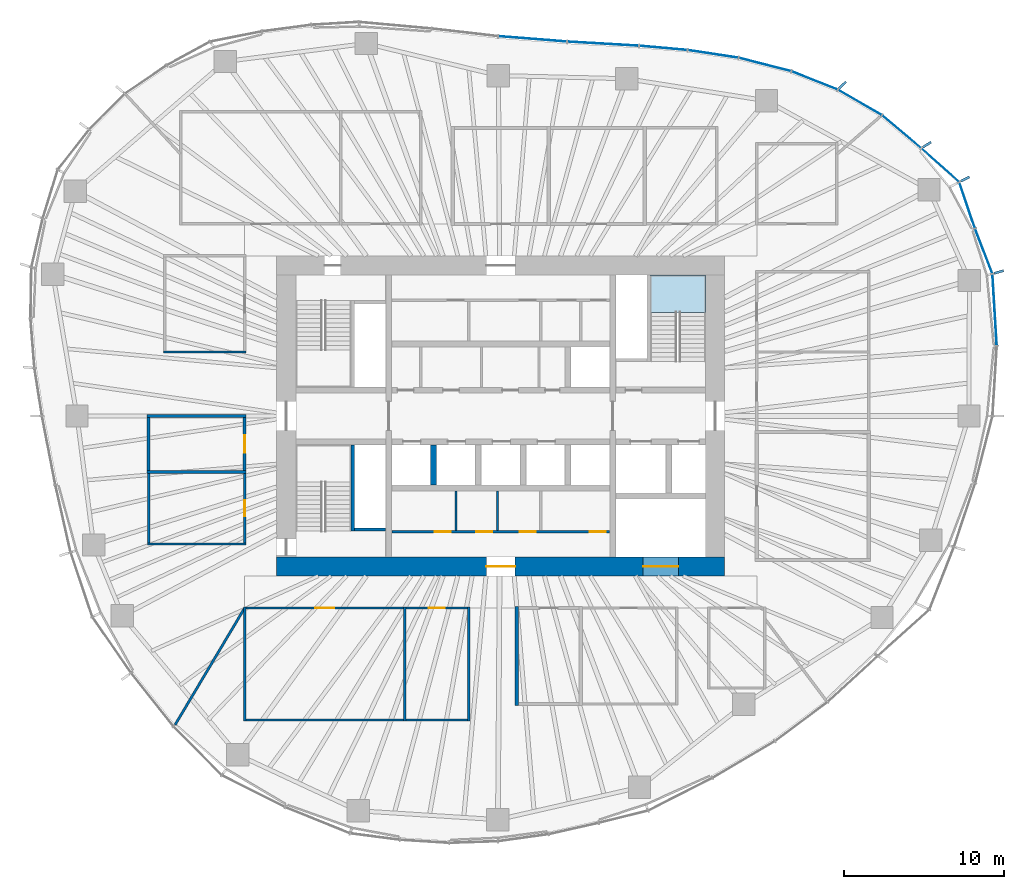
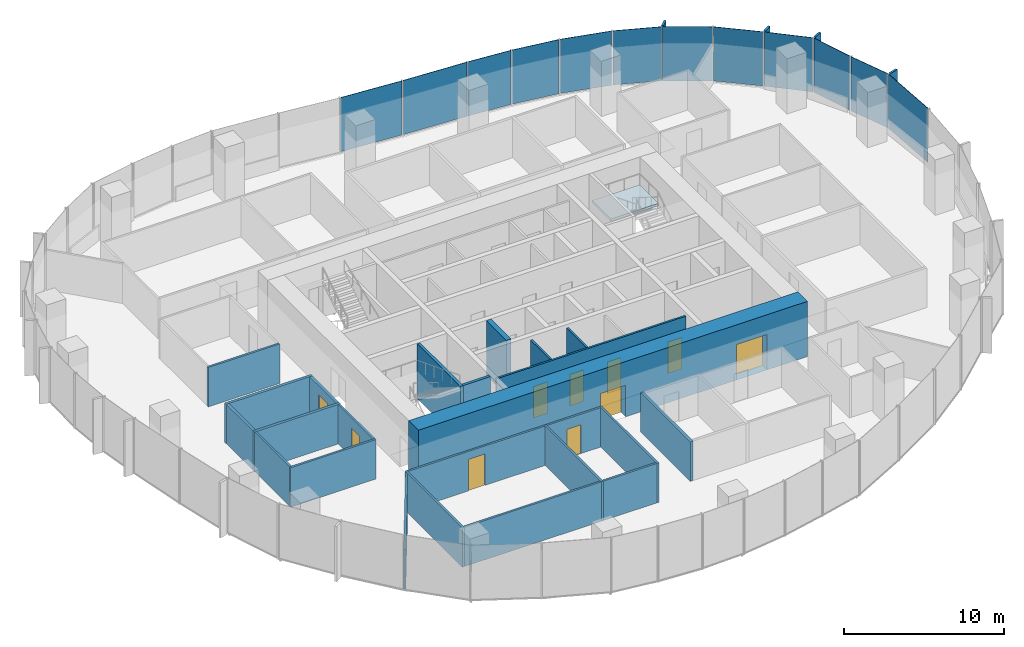
# One storey, part 8 of 18: 24 walls, 16 plates, 10 doors, 1 slab, 10 openings, 6 elements without a shape of their own.
"""IFC4 building model written with IfcOpenShell, lengths in metres."""

from ifc_helpers import new_model, si_unit, direction, frame, frame_2d, origin, origin_2d, place, context, subcontext, project, spatial, polyline, rectangle, outline, extrude, material, layer, layer_set, type_object, element, fill, aggregate, save


model = new_model("IFC4")

# Units and contexts
model_context = context("Model", 3, precision=1e-05, world=origin(), true_north=direction((0.0, 1.0)))
body_context = subcontext(model_context, "Body", "Model", "MODEL_VIEW")
ifc_project = project(units=[si_unit("LENGTHUNIT", "METRE"), si_unit("AREAUNIT", "SQUARE_METRE"), si_unit("VOLUMEUNIT", "CUBIC_METRE"), si_unit("PLANEANGLEUNIT", "RADIAN"), si_unit("MASSUNIT", "GRAM", prefix="KILO")], contexts=[model_context])

# Site, building, storey
site_placement = place(None, origin())
site = spatial("IfcSite", under=ifc_project, at=site_placement, CompositionType="ELEMENT")
building_placement = place(site_placement, origin())
building = spatial("IfcBuilding", under=site, at=building_placement, Name="Ghaith Harvest Tower", CompositionType="ELEMENT")
storey_placement = place(building_placement, frame((0.0, 0.0, 155.39990234375)))
storey = spatial("IfcBuildingStorey", under=building, at=storey_placement, Name="L33", CompositionType="ELEMENT", Elevation=155.39990234375)

# Curtain wall, plate
ifc_material_1 = material(Name="Black anodised aluminium and fritted glass", Category="aluminium")
curtain_wall_type = type_object("IfcCurtainWallType", Name="CW-L CURTAIN WALL", PredefinedType="NOTDEFINED", material=ifc_material_1)
curtain_wall_1_placement = place(storey_placement, origin())
curtain_wall_1 = element("IfcCurtainWall", 1, at=curtain_wall_1_placement, inside=storey, type_object=curtain_wall_type, Name="Curtain wall CW-L bay 01 L33", PredefinedType="NOTDEFINED")
ifc_material_2 = material(Name="Glass, dark solar-control fritted double glazed unit", Category="glass")
ifc_layer_1 = layer(ifc_material_2, 0.031982421875)
ifc_layer_set_1 = layer_set([ifc_layer_1], Name="CW-L VISION PANEL")
plate_type_1 = type_object("IfcPlateType", Name="CW-L VISION PANEL", PredefinedType="CURTAIN_PANEL", material=ifc_layer_set_1)
plate_1_placement = place(storey_placement, frame((30.863037109375, 6.63525390625, 0.080078125), z_axis=(0.0, 0.0, 1.0), x_axis=(-0.060320650032, 0.998179051663, 0.0)))
plate_1 = element("IfcPlate", 2, at=plate_1_placement, type_object=plate_type_1, Name="CW-L glass unit 2 bay 01 L33", PredefinedType="CURTAIN_PANEL", context=body_context, shape_type="SweptSolid", body=[
    extrude(rectangle(XDim=4.419189453125, YDim=0.031982421875, at=origin_2d()), origin(), (0.0, 0.0, 1.0), 4.1201171875),
])
aggregate(curtain_wall_1, [plate_1])

# Curtain wall, plates
curtain_wall_2_placement = place(storey_placement, origin())
curtain_wall_2 = element("IfcCurtainWall", 3, at=curtain_wall_2_placement, inside=storey, type_object=curtain_wall_type, Name="Curtain wall CW-L bay 02 L33", PredefinedType="NOTDEFINED")
plate_2_placement = place(storey_placement, frame((30.180908203125, 10.29833984375, 0.080078125), z_axis=(0.0, 0.0, 1.0), x_axis=(-0.359676824997, 0.933076943001, 0.0)))
plate_2 = element("IfcPlate", 4, at=plate_2_placement, type_object=plate_type_1, Name="CW-L glass unit 1 bay 02 L33", PredefinedType="CURTAIN_PANEL", context=body_context, shape_type="SweptSolid", body=[
    extrude(rectangle(XDim=2.95849609375, YDim=0.031982421875, at=origin_2d()), origin(), (0.0, 0.0, 1.0), 4.1201171875),
])
plate_3_placement = place(storey_placement, frame((29.142333984375, 13.163818359375, 0.080078125), z_axis=(0.0, 0.0, 1.0), x_axis=(-0.321853304376, 0.946789549194, 0.0)))
plate_3 = element("IfcPlate", 5, at=plate_3_placement, type_object=plate_type_1, Name="CW-L glass unit 2 bay 02 L33", PredefinedType="CURTAIN_PANEL", context=body_context, shape_type="SweptSolid", body=[
    extrude(rectangle(XDim=2.978759765625, YDim=0.031982421875, at=origin_2d()), origin(), (0.0, 0.0, 1.0), 4.1201171875),
])
plate_4_placement = place(storey_placement, frame((27.46533203125, 15.668701171875, 0.080078125), z_axis=(0.0, 0.0, 1.0), x_axis=(-0.746250544556, 0.665665174656, 0.0)))
plate_4 = element("IfcPlate", 6, at=plate_4_placement, type_object=plate_type_1, Name="CW-L glass unit 3 bay 02 L33", PredefinedType="CURTAIN_PANEL", context=body_context, shape_type="SweptSolid", body=[
    extrude(rectangle(XDim=3.094970703125, YDim=0.031982421875, at=origin_2d()), origin(), (0.0, 0.0, 1.0), 4.1201171875),
])
aggregate(curtain_wall_2, [plate_2, plate_3, plate_4])

curtain_wall_3_placement = place(storey_placement, origin())
curtain_wall_3 = element("IfcCurtainWall", 7, at=curtain_wall_3_placement, inside=storey, type_object=curtain_wall_type, Name="Curtain wall CW-L bay 03 L33", PredefinedType="NOTDEFINED")
plate_5_placement = place(storey_placement, frame((25.05126953125, 17.7587890625, 0.080078125), z_axis=(0.0, 0.0, 1.0), x_axis=(-0.765473064857, 0.643467937801, 0.0)))
plate_5 = element("IfcPlate", 8, at=plate_5_placement, type_object=plate_type_1, Name="CW-L glass unit 1 bay 03 L33", PredefinedType="CURTAIN_PANEL", context=body_context, shape_type="SweptSolid", body=[
    extrude(rectangle(XDim=3.13232421875, YDim=0.031982421875, at=origin_2d()), origin(), (0.0, 0.0, 1.0), 4.1201171875),
])
plate_6_placement = place(storey_placement, frame((22.444091796875, 19.590576171875, 0.080078125), z_axis=(0.0, 0.0, 1.0), x_axis=(-0.865232087993, 0.501371552751, 0.0)))
plate_6 = element("IfcPlate", 9, at=plate_6_placement, type_object=plate_type_1, Name="CW-L glass unit 2 bay 03 L33", PredefinedType="CURTAIN_PANEL", context=body_context, shape_type="SweptSolid", body=[
    extrude(rectangle(XDim=3.10498046875, YDim=0.031982421875, at=origin_2d()), origin(), (0.0, 0.0, 1.0), 4.1201171875),
])
plate_7_placement = place(storey_placement, frame((19.6142578125, 20.963623046875, 0.080078125), z_axis=(0.0, 0.0, 1.0), x_axis=(-0.929876534019, 0.367871759558, 0.0)))
plate_7 = element("IfcPlate", 10, at=plate_7_placement, type_object=plate_type_1, Name="CW-L glass unit 3 bay 03 L33", PredefinedType="CURTAIN_PANEL", context=body_context, shape_type="SweptSolid", body=[
    extrude(rectangle(XDim=3.042724609375, YDim=0.031982421875, at=origin_2d()), origin(), (0.0, 0.0, 1.0), 4.1201171875),
])
aggregate(curtain_wall_3, [plate_5, plate_6, plate_7])

curtain_wall_4_placement = place(storey_placement, origin())
curtain_wall_4 = element("IfcCurtainWall", 11, at=curtain_wall_4_placement, inside=storey, type_object=curtain_wall_type, Name="Curtain wall CW-L bay 04 L33", PredefinedType="NOTDEFINED")
plate_8_placement = place(storey_placement, frame((16.513427734375, 21.958740234375, 0.080078125), z_axis=(0.0, 0.0, 1.0), x_axis=(-0.96893110987, 0.247330758955, 0.0)))
plate_8 = element("IfcPlate", 12, at=plate_8_placement, type_object=plate_type_1, Name="CW-L glass unit 1 bay 04 L33", PredefinedType="CURTAIN_PANEL", context=body_context, shape_type="SweptSolid", body=[
    extrude(rectangle(XDim=3.3232421875, YDim=0.031982421875, at=origin_2d()), origin(), (0.0, 0.0, 1.0), 4.1201171875),
])
plate_9_placement = place(storey_placement, frame((13.2685546875, 22.621826171875, 0.080078125), z_axis=(0.0, 0.0, 1.0), x_axis=(-0.988678736369, 0.150047846542, 0.0)))
plate_9 = element("IfcPlate", 13, at=plate_9_placement, type_object=plate_type_1, Name="CW-L glass unit 2 bay 04 L33", PredefinedType="CURTAIN_PANEL", context=body_context, shape_type="SweptSolid", body=[
    extrude(rectangle(XDim=3.14892578125, YDim=0.031982421875, at=origin_2d()), origin(), (0.0, 0.0, 1.0), 4.1201171875),
])
plate_10_placement = place(storey_placement, frame((10.15966796875, 22.9970703125, 0.080078125), z_axis=(0.0, 0.0, 1.0), x_axis=(-0.996166190972, 0.087480969151, 0.0)))
plate_10 = element("IfcPlate", 14, at=plate_10_placement, type_object=plate_type_1, Name="CW-L glass unit 3 bay 04 L33", PredefinedType="CURTAIN_PANEL", context=body_context, shape_type="SweptSolid", body=[
    extrude(rectangle(XDim=2.957275390625, YDim=0.031982421875, at=origin_2d()), origin(), (0.0, 0.0, 1.0), 4.1201171875),
])
aggregate(curtain_wall_4, [plate_8, plate_9, plate_10])

curtain_wall_5_placement = place(storey_placement, origin())
curtain_wall_5 = element("IfcCurtainWall", 15, at=curtain_wall_5_placement, inside=storey, type_object=curtain_wall_type, Name="Curtain wall CW-L bay 05 L33", PredefinedType="NOTDEFINED")
plate_11_placement = place(storey_placement, frame((6.396728515625, 23.260498046875, 0.080078125), z_axis=(0.0, 0.0, 1.0), x_axis=(-0.998320798751, 0.05792739233, 0.0)))
plate_11 = element("IfcPlate", 16, at=plate_11_placement, type_object=plate_type_1, Name="CW-L glass unit 1 bay 05 L33", PredefinedType="CURTAIN_PANEL", context=body_context, shape_type="SweptSolid", body=[
    extrude(rectangle(XDim=4.427734375, YDim=0.031982421875, at=origin_2d()), origin(), (0.0, 0.0, 1.0), 4.1201171875),
])
plate_12_placement = place(storey_placement, frame((1.9921875, 23.560302734375, 0.080078125), z_axis=(0.0, 0.0, 1.0), x_axis=(-0.996925121312, 0.078360082291, 0.0)))
plate_12 = element("IfcPlate", 17, at=plate_12_placement, type_object=plate_type_1, Name="CW-L glass unit 2 bay 05 L33", PredefinedType="CURTAIN_PANEL", context=body_context, shape_type="SweptSolid", body=[
    extrude(rectangle(XDim=4.242431640625, YDim=0.031982421875, at=origin_2d()), origin(), (0.0, 0.0, 1.0), 4.1201171875),
])
aggregate(curtain_wall_5, [plate_11, plate_12])

# Stair, slab
ifc_material_3 = material(Name="Concrete C40/50, precast", Category="concrete")
stair_type = type_object("IfcStairType", Name="CORE STAIR 24R", PredefinedType="HALF_TURN_STAIR", material=ifc_material_3)
stair_placement = place(storey_placement, origin())
stair = element("IfcStair", 18, at=stair_placement, inside=storey, type_object=stair_type, Name="Stair ST2 L33", PredefinedType="HALF_TURN_STAIR")
ifc_material_4 = material(Name="Concrete C40/50, precast", Category="concrete")
ifc_layer_2 = layer(ifc_material_4, 0.179931640625)
ifc_layer_set_2 = layer_set([ifc_layer_2], Name="STAIR LANDING 180")
slab_type = type_object("IfcSlabType", Name="STAIR LANDING 180", PredefinedType="LANDING", material=ifc_layer_set_2)
slab_placement = place(storey_placement, frame((0.0, 0.0, 1.920166015625)))
slab = element("IfcSlab", 19, at=slab_placement, type_object=slab_type, Name="ST2 landing 1", PredefinedType="LANDING", context=body_context, shape_type="SweptSolid", body=[
    extrude(outline(polyline([(12.800048828125, 6.4599609375), (12.800048828125, 8.800048828125), (9.35009765625, 8.800048828125), (9.35009765625, 6.4599609375), (12.800048828125, 6.4599609375)])), origin(), (0.0, 0.0, 1.0), 0.179931640625),
])
aggregate(stair, [slab])

# Plates
ifc_material_5 = material(Name="Glassfibre-reinforced concrete", Category="concrete")
ifc_layer_3 = layer(ifc_material_5, 0.14990234375)
ifc_layer_set_3 = layer_set([ifc_layer_3], Name="SUN-BREAKER FIN 600x150")
plate_type_2 = type_object("IfcPlateType", Name="SUN-BREAKER FIN 600x150", PredefinedType="USERDEFINED", material=ifc_layer_set_3)
for number, where, z_axis, x_axis, name in (
    (20, (31.130859375, 8.99755859375, 0.0), (0.0, 0.0, 1.0), (0.960680349985, 0.277656739792, 0.0), "Sun-breaker fin CW-L 1 bay 02 L33"),
    (21, (29.024169921875, 14.802734375, 0.0), (0.0, 0.0, 1.0), (0.890830752257, 0.454335306611, 0.0), "Sun-breaker fin CW-L 3 bay 02 L33"),
    (22, (26.635009765625, 16.95068359375, 0.0), (0.0, 0.0, 1.0), (0.843643971464, 0.536903016766, 0.0), "Sun-breaker fin CW-L 1 bay 03 L33"),
    (23, (21.367919921875, 20.68115234375, 0.0), (0.0, 0.0, 1.0), (0.7185589652, 0.69546604053, 0.0), "Sun-breaker fin CW-L 3 bay 03 L33"),
):
    element("IfcPlate", number, at=place(storey_placement, frame(where, z_axis=z_axis, x_axis=x_axis)), inside=storey, type_object=plate_type_2, Name=name, ObjectType="SUN-BREAKER FIN", PredefinedType="USERDEFINED", context=body_context, shape_type="SweptSolid", body=[
        extrude(rectangle(XDim=0.60009765625, YDim=0.14990234375, at=origin_2d()), origin(), (0.0, 0.0, 1.0), 4.199951171875),
    ])

# Walls
ifc_material_6 = material(Name="Twin-stud gypsum board, acoustic", Category="gypsum")
ifc_layer_4 = layer(ifc_material_6, 0.199951171875)
ifc_layer_set_4 = layer_set([ifc_layer_4], Name="ACOUSTIC PARTITION 200")
wall_type_1 = type_object("IfcWallType", Name="ACOUSTIC PARTITION 200", PredefinedType="PARTITIONING", material=ifc_layer_set_4)
for number, where, z_axis, x_axis, name in (
    (24, (1.0, -11.89990234375, 0.0), (0.0, 0.0, 1.0), (0.0, -1.0, 0.0), "Partition L33 row S2 cross wall 1"),
    (25, (-15.89990234375, -3.5, 0.0), (0.0, 0.0, 1.0), (-1.0, 0.0, 0.0), "Partition L33 row W6 cross wall 2"),
    (26, (-15.89990234375, 0.0, 0.0), (0.0, 0.0, 1.0), (-1.0, 0.0, 0.0), "Partition L33 row W6 cross wall 3"),
):
    element("IfcWall", number, at=place(storey_placement, frame(where, z_axis=z_axis, x_axis=x_axis)), inside=storey, type_object=wall_type_1, Name=name, PredefinedType="PARTITIONING", context=body_context, shape_type="SweptSolid", body=[
        extrude(rectangle(XDim=6.2001953125, YDim=0.199951171875, at=frame_2d((3.10009765625, 0.0))), origin(), (0.0, 0.0, 1.0), 3.0),
    ])

# Wall, opening, door
wall_1_placement = place(storey_placement, frame((-16.0, -3.39990234375, 0.0), z_axis=(0.0, 0.0, 1.0), x_axis=(0.0, 1.0, 0.0)))
wall_1 = element("IfcWall", 27, at=wall_1_placement, inside=storey, type_object=wall_type_1, Name="Partition L33-14", PredefinedType="PARTITIONING", context=body_context, shape_type="SweptSolid", body=[
    extrude(rectangle(XDim=3.2998046875, YDim=0.199951171875, at=frame_2d((1.64990234375, 0.0))), origin(), (0.0, 0.0, 1.0), 3.0),
])
opening_1_placement = place(wall_1_placement, frame((1.10009765625, 0.0, 0.0)))
opening_1 = element("IfcOpeningElement", 28, at=opening_1_placement, cuts=wall_1, Name="Opening 33-042", PredefinedType="OPENING", context=body_context, shape_type="SweptSolid", body=[
    extrude(rectangle(XDim=1.10009765625, YDim=2.300048828125, at=frame_2d((0.550048828125, 1.14990234375))), frame((0.0, 0.10986328125, 0.0), z_axis=(0.0, -1.0, 0.0), x_axis=(1.0, 0.0, 0.0)), (0.0, 0.0, 1.0), 0.219970703125),
])
ifc_material_7 = material(Name="Timber-framed glazed door", Category="wood")
door_type_1 = type_object("IfcDoorType", Name="D12 GLAZED OFFICE 1100x2300", OperationType="SINGLE_SWING_LEFT", PredefinedType="DOOR", material=ifc_material_7)
door_1_placement = place(opening_1_placement, origin())
door_1 = element("IfcDoor", 29, at=door_1_placement, inside=storey, type_object=door_type_1, Name="Quiet room door", OperationType="SINGLE_SWING_LEFT", OverallHeight=2.300048828125, OverallWidth=1.10009765625, PredefinedType="DOOR", context=body_context, shape_type="SweptSolid", body=[
    extrude(rectangle(XDim=1.10009765625, YDim=2.300048828125, at=frame_2d((0.550048828125, 1.14990234375))), frame((0.0, 0.02490234375, 0.0), z_axis=(0.0, -1.0, 0.0), x_axis=(1.0, 0.0, 0.0)), (0.0, 0.0, 1.0), 0.050048828125),
])
fill(opening_1, door_1)

# Wall
wall_2_placement = place(storey_placement, frame((-22.0, -3.39990234375, 0.0), z_axis=(0.0, 0.0, 1.0), x_axis=(0.0, 1.0, 0.0)))
element("IfcWall", 30, at=wall_2_placement, inside=storey, type_object=wall_type_1, Name="Partition L33-14", PredefinedType="PARTITIONING", context=body_context, shape_type="SweptSolid", body=[
    extrude(rectangle(XDim=3.2998046875, YDim=0.199951171875, at=frame_2d((1.64990234375, 0.0))), origin(), (0.0, 0.0, 1.0), 3.0),
])

# Wall, openings, doors
ifc_material_8 = material(Name="Concrete blockwork, fair-faced", Category="masonry")
ifc_layer_5 = layer(ifc_material_8, 0.139892578125)
ifc_layer_set_5 = layer_set([ifc_layer_5], Name="CORE PARTITION 140")
wall_type_2 = type_object("IfcWallType", Name="CORE PARTITION 140", PredefinedType="PARTITIONING", material=ifc_layer_set_5)
wall_3_placement = place(storey_placement, frame((-6.800048828125, -7.22998046875, 0.0), z_axis=(0.0, 0.0, 1.0), x_axis=(1.0, 0.0, 0.0)))
wall_3 = element("IfcWall", 31, at=wall_3_placement, inside=storey, type_object=wall_type_2, Name="Core partition L33", PredefinedType="PARTITIONING", context=body_context, shape_type="SweptSolid", body=[
    extrude(rectangle(XDim=13.60009765625, YDim=0.139892578125, at=frame_2d((6.800048828125, 0.0))), origin(), (0.0, 0.0, 1.0), 3.9501953125),
])
opening_2_placement = place(wall_3_placement, frame((2.679931640625, 0.0, 0.0)))
opening_2 = element("IfcOpeningElement", 32, at=opening_2_placement, cuts=wall_3, Name="Opening 33-012", PredefinedType="OPENING", context=body_context, shape_type="SweptSolid", body=[
    extrude(rectangle(XDim=1.0, YDim=2.39990234375, at=frame_2d((0.5, 1.199951171875))), frame((0.0, 0.080078125, 0.0), z_axis=(0.0, -1.0, 0.0), x_axis=(1.0, 0.0, 0.0)), (0.0, 0.0, 1.0), 0.159912109375),
])
opening_3_placement = place(wall_3_placement, frame((5.280029296875, 0.0, 0.0)))
opening_3 = element("IfcOpeningElement", 33, at=opening_3_placement, cuts=wall_3, Name="Opening 33-013", PredefinedType="OPENING", context=body_context, shape_type="SweptSolid", body=[
    extrude(rectangle(XDim=1.0, YDim=2.39990234375, at=frame_2d((0.5, 1.199951171875))), frame((0.0, 0.080078125, 0.0), z_axis=(0.0, -1.0, 0.0), x_axis=(1.0, 0.0, 0.0)), (0.0, 0.0, 1.0), 0.159912109375),
])
opening_4_placement = place(wall_3_placement, frame((7.97998046875, 0.0, 0.0)))
opening_4 = element("IfcOpeningElement", 34, at=opening_4_placement, cuts=wall_3, Name="Opening 33-014", PredefinedType="OPENING", context=body_context, shape_type="SweptSolid", body=[
    extrude(rectangle(XDim=1.0, YDim=2.39990234375, at=frame_2d((0.5, 1.199951171875))), frame((0.0, 0.080078125, 0.0), z_axis=(0.0, -1.0, 0.0), x_axis=(1.0, 0.0, 0.0)), (0.0, 0.0, 1.0), 0.159912109375),
])
opening_5_placement = place(wall_3_placement, frame((12.35009765625, 0.0, 0.0)))
opening_5 = element("IfcOpeningElement", 35, at=opening_5_placement, cuts=wall_3, Name="Opening 33-015", PredefinedType="OPENING", context=body_context, shape_type="SweptSolid", body=[
    extrude(rectangle(XDim=1.0, YDim=2.39990234375, at=frame_2d((0.5, 1.199951171875))), frame((0.0, 0.080078125, 0.0), z_axis=(0.0, -1.0, 0.0), x_axis=(1.0, 0.0, 0.0)), (0.0, 0.0, 1.0), 0.159912109375),
])
ifc_material_9 = material(Name="Steel fire door", Category="steel")
door_type_2 = type_object("IfcDoorType", Name="D3 FD90 1000x2400", OperationType="SINGLE_SWING_LEFT", PredefinedType="DOOR", material=ifc_material_9)
door_2_placement = place(opening_2_placement, origin())
door_2 = element("IfcDoor", 36, at=door_2_placement, inside=storey, type_object=door_type_2, Name="Electrical room door", OperationType="SINGLE_SWING_LEFT", OverallHeight=2.39990234375, OverallWidth=1.0, PredefinedType="DOOR", context=body_context, shape_type="SweptSolid", body=[
    extrude(rectangle(XDim=1.0, YDim=2.39990234375, at=frame_2d((0.5, 1.199951171875))), frame((0.0, 0.02490234375, 0.0), z_axis=(0.0, -1.0, 0.0), x_axis=(1.0, 0.0, 0.0)), (0.0, 0.0, 1.0), 0.050048828125),
])
fill(opening_2, door_2)
door_3_placement = place(opening_3_placement, origin())
door_3 = element("IfcDoor", 37, at=door_3_placement, inside=storey, type_object=door_type_2, Name="Communications equipment room door", OperationType="SINGLE_SWING_LEFT", OverallHeight=2.39990234375, OverallWidth=1.0, PredefinedType="DOOR", context=body_context, shape_type="SweptSolid", body=[
    extrude(rectangle(XDim=1.0, YDim=2.39990234375, at=frame_2d((0.5, 1.199951171875))), frame((0.0, 0.02490234375, 0.0), z_axis=(0.0, -1.0, 0.0), x_axis=(1.0, 0.0, 0.0)), (0.0, 0.0, 1.0), 0.050048828125),
])
fill(opening_3, door_3)
door_4_placement = place(opening_4_placement, origin())
door_4 = element("IfcDoor", 38, at=door_4_placement, inside=storey, type_object=door_type_2, Name="Staff WC door", OperationType="SINGLE_SWING_RIGHT", OverallHeight=2.39990234375, OverallWidth=1.0, PredefinedType="DOOR", context=body_context, shape_type="SweptSolid", body=[
    extrude(rectangle(XDim=1.0, YDim=2.39990234375, at=frame_2d((0.5, 1.199951171875))), frame((0.0, 0.02490234375, 0.0), z_axis=(0.0, -1.0, 0.0), x_axis=(1.0, 0.0, 0.0)), (0.0, 0.0, 1.0), 0.050048828125),
])
fill(opening_4, door_4)
door_5_placement = place(opening_5_placement, origin())
door_5 = element("IfcDoor", 39, at=door_5_placement, inside=storey, type_object=door_type_2, Name="Riser room door", OperationType="SINGLE_SWING_RIGHT", OverallHeight=2.39990234375, OverallWidth=1.0, PredefinedType="DOOR", context=body_context, shape_type="SweptSolid", body=[
    extrude(rectangle(XDim=1.0, YDim=2.39990234375, at=frame_2d((0.5, 1.199951171875))), frame((0.0, 0.02490234375, 0.0), z_axis=(0.0, -1.0, 0.0), x_axis=(1.0, 0.0, 0.0)), (0.0, 0.0, 1.0), 0.050048828125),
])
fill(opening_5, door_5)

# Walls
for number, where, z_axis, x_axis, name in (
    (40, (-2.800048828125, -4.699951171875, 0.0), (0.0, 0.0, 1.0), (0.0, -1.0, 0.0), "Core partition L33"),
    (41, (-0.199951171875, -4.699951171875, 0.0), (0.0, 0.0, 1.0), (0.0, -1.0, 0.0), "Core partition L33"),
):
    element("IfcWall", number, at=place(storey_placement, frame(where, z_axis=z_axis, x_axis=x_axis)), inside=storey, type_object=wall_type_2, Name=name, PredefinedType="PARTITIONING", context=body_context, shape_type="SweptSolid", body=[
        extrude(rectangle(XDim=2.4599609375, YDim=0.139892578125, at=frame_2d((1.22998046875, 0.0))), origin(), (0.0, 0.0, 1.0), 3.9501953125),
    ])

# Wall, openings, doors
ifc_material_10 = material(Name="Concrete C60/75", Category="concrete")
ifc_layer_6 = layer(ifc_material_10, 1.199951171875)
ifc_layer_set_6 = layer_set([ifc_layer_6], Name="CORE WALL CW1200 C60")
wall_type_3 = type_object("IfcWallType", Name="CORE WALL CW1200 C60", PredefinedType="SHEAR", material=ifc_layer_set_6)
wall_4_placement = place(storey_placement, frame((-14.0, -9.39990234375, 0.0), z_axis=(0.0, 0.0, 1.0), x_axis=(1.0, 0.0, 0.0)))
wall_4 = element("IfcWall", 42, at=wall_4_placement, inside=storey, type_object=wall_type_3, Name="Core wall S L33", PredefinedType="SHEAR", context=body_context, shape_type="SweptSolid", body=[
    extrude(rectangle(XDim=28.0, YDim=1.199951171875, at=frame_2d((14.0, 0.0))), origin(), (0.0, 0.0, 1.0), 4.2001953125),
])
opening_6_placement = place(wall_4_placement, frame((13.10009765625, 0.0, 0.0)))
opening_6 = element("IfcOpeningElement", 43, at=opening_6_placement, cuts=wall_4, Name="Opening 33-021", PredefinedType="OPENING", context=body_context, shape_type="SweptSolid", body=[
    extrude(rectangle(XDim=1.800048828125, YDim=2.39990234375, at=frame_2d((0.89990234375, 1.199951171875))), frame((0.0, 0.60986328125, 0.0), z_axis=(0.0, -1.0, 0.0), x_axis=(1.0, 0.0, 0.0)), (0.0, 0.0, 1.0), 1.219970703125),
])
opening_7_placement = place(wall_4_placement, frame((22.89990234375, 0.0, 0.0)))
opening_7 = element("IfcOpeningElement", 44, at=opening_7_placement, cuts=wall_4, Name="Opening 33-028", PredefinedType="OPENING", context=body_context, shape_type="SweptSolid", body=[
    extrude(rectangle(XDim=2.199951171875, YDim=2.699951171875, at=frame_2d((1.10009765625, 1.35009765625))), frame((0.0, 0.60986328125, 0.0), z_axis=(0.0, -1.0, 0.0), x_axis=(1.0, 0.0, 0.0)), (0.0, 0.0, 1.0), 1.219970703125),
])
ifc_material_11 = material(Name="Steel fire door", Category="steel")
door_type_3 = type_object("IfcDoorType", Name="D4 FD90 PAIR 1800x2400", OperationType="DOUBLE_DOOR_SINGLE_SWING", PredefinedType="DOOR", material=ifc_material_11)
door_6_placement = place(opening_6_placement, origin())
door_6 = element("IfcDoor", 45, at=door_6_placement, inside=storey, type_object=door_type_3, Name="Core service corridor doors", OperationType="DOUBLE_DOOR_SINGLE_SWING", OverallHeight=2.39990234375, OverallWidth=1.800048828125, PredefinedType="DOOR", context=body_context, shape_type="SweptSolid", body=[
    extrude(rectangle(XDim=1.800048828125, YDim=2.39990234375, at=frame_2d((0.89990234375, 1.199951171875))), frame((0.0, 0.02490234375, 0.0), z_axis=(0.0, -1.0, 0.0), x_axis=(1.0, 0.0, 0.0)), (0.0, 0.0, 1.0), 0.050048828125),
])
fill(opening_6, door_6)
ifc_material_12 = material(Name="Steel fire door", Category="steel")
door_type_4 = type_object("IfcDoorType", Name="LD3 LANDING 2200x2700", OperationType="DOUBLE_DOOR_SLIDING", PredefinedType="DOOR", material=ifc_material_12)
door_7_placement = place(opening_7_placement, origin())
door_7 = element("IfcDoor", 46, at=door_7_placement, inside=storey, type_object=door_type_4, Name="Landing door, goods lift GL1", OperationType="DOUBLE_DOOR_SLIDING", OverallHeight=2.699951171875, OverallWidth=2.199951171875, PredefinedType="DOOR", context=body_context, shape_type="SweptSolid", body=[
    extrude(rectangle(XDim=2.199951171875, YDim=2.699951171875, at=frame_2d((1.10009765625, 1.35009765625))), frame((0.0, 0.02490234375, 0.0), z_axis=(0.0, -1.0, 0.0), x_axis=(1.0, 0.0, 0.0)), (0.0, 0.0, 1.0), 0.050048828125),
])
fill(opening_7, door_7)

# Walls
ifc_material_13 = material(Name="Gypsum board on steel studs", Category="steel")
ifc_layer_7 = layer(ifc_material_13, 0.14990234375)
ifc_layer_set_7 = layer_set([ifc_layer_7], Name="PARTITION 150")
wall_type_4 = type_object("IfcWallType", Name="PARTITION 150", PredefinedType="PARTITIONING", material=ifc_layer_set_7)
for number, where, z_axis, x_axis, name in (
    (47, (-16.0, -11.925048828125, 0.0), (0.0, 0.0, 1.0), (0.0, -1.0, 0.0), "Partition L33 row S1 cross wall 1"),
    (48, (-6.0, -11.925048828125, 0.0), (0.0, 0.0, 1.0), (0.0, -1.0, 0.0), "Partition L33 row S1 cross wall 2"),
    (49, (-2.0, -11.925048828125, 0.0), (0.0, 0.0, 1.0), (0.0, -1.0, 0.0), "Partition L33 row S1 cross wall 3"),
):
    element("IfcWall", number, at=place(storey_placement, frame(where, z_axis=z_axis, x_axis=x_axis)), inside=storey, type_object=wall_type_4, Name=name, PredefinedType="PARTITIONING", context=body_context, shape_type="SweptSolid", body=[
        extrude(rectangle(XDim=7.14990234375, YDim=0.14990234375, at=frame_2d((3.574951171875, 0.0))), origin(), (0.0, 0.0, 1.0), 3.0),
    ])

# Wall, opening, door
wall_5_placement = place(storey_placement, frame((-15.925048828125, -12.0, 0.0), z_axis=(0.0, 0.0, 1.0), x_axis=(1.0, 0.0, 0.0)))
wall_5 = element("IfcWall", 50, at=wall_5_placement, inside=storey, type_object=wall_type_4, Name="Partition L33-01", PredefinedType="PARTITIONING", context=body_context, shape_type="SweptSolid", body=[
    extrude(rectangle(XDim=9.85009765625, YDim=0.14990234375, at=frame_2d((4.925048828125, 0.0))), origin(), (0.0, 0.0, 1.0), 3.0),
])
opening_8_placement = place(wall_5_placement, frame((4.324951171875, 0.0, 0.0)))
opening_8 = element("IfcOpeningElement", 51, at=opening_8_placement, cuts=wall_5, Name="Opening 33-029", PredefinedType="OPENING", context=body_context, shape_type="SweptSolid", body=[
    extrude(rectangle(XDim=1.199951171875, YDim=2.39990234375, at=frame_2d((0.60009765625, 1.199951171875))), frame((0.0, 0.0849609375, 0.0), z_axis=(0.0, -1.0, 0.0), x_axis=(1.0, 0.0, 0.0)), (0.0, 0.0, 1.0), 0.169921875),
])
ifc_material_14 = material(Name="Timber door", Category="wood")
door_type_5 = type_object("IfcDoorType", Name="D11 GLAZED 1200x2400", OperationType="SINGLE_SWING_LEFT", PredefinedType="DOOR", material=ifc_material_14)
door_8_placement = place(opening_8_placement, origin())
door_8 = element("IfcDoor", 52, at=door_8_placement, inside=storey, type_object=door_type_5, Name="Design studio door", OperationType="SINGLE_SWING_LEFT", OverallHeight=2.39990234375, OverallWidth=1.199951171875, PredefinedType="DOOR", context=body_context, shape_type="SweptSolid", body=[
    extrude(rectangle(XDim=1.199951171875, YDim=2.39990234375, at=frame_2d((0.60009765625, 1.199951171875))), frame((0.0, 0.02490234375, 0.0), z_axis=(0.0, -1.0, 0.0), x_axis=(1.0, 0.0, 0.0)), (0.0, 0.0, 1.0), 0.050048828125),
])
fill(opening_8, door_8)

# Wall
wall_6_placement = place(storey_placement, frame((-15.925048828125, -19.0, 0.0), z_axis=(0.0, 0.0, 1.0), x_axis=(1.0, 0.0, 0.0)))
element("IfcWall", 53, at=wall_6_placement, inside=storey, type_object=wall_type_4, Name="Partition L33-01", PredefinedType="PARTITIONING", context=body_context, shape_type="SweptSolid", body=[
    extrude(rectangle(XDim=9.85009765625, YDim=0.14990234375, at=frame_2d((4.925048828125, 0.0))), origin(), (0.0, 0.0, 1.0), 3.0),
])

# Wall, opening, door
wall_7_placement = place(storey_placement, frame((-5.925048828125, -12.0, 0.0), z_axis=(0.0, 0.0, 1.0), x_axis=(1.0, 0.0, 0.0)))
wall_7 = element("IfcWall", 54, at=wall_7_placement, inside=storey, type_object=wall_type_4, Name="Partition L33-02", PredefinedType="PARTITIONING", context=body_context, shape_type="SweptSolid", body=[
    extrude(rectangle(XDim=3.85009765625, YDim=0.14990234375, at=frame_2d((1.925048828125, 0.0))), origin(), (0.0, 0.0, 1.0), 3.0),
])
opening_9_placement = place(wall_7_placement, frame((1.425048828125, 0.0, 0.0)))
opening_9 = element("IfcOpeningElement", 55, at=opening_9_placement, cuts=wall_7, Name="Opening 33-030", PredefinedType="OPENING", context=body_context, shape_type="SweptSolid", body=[
    extrude(rectangle(XDim=1.0, YDim=2.199951171875, at=frame_2d((0.5, 1.10009765625))), frame((0.0, 0.0849609375, 0.0), z_axis=(0.0, -1.0, 0.0), x_axis=(1.0, 0.0, 0.0)), (0.0, 0.0, 1.0), 0.169921875),
])
ifc_material_15 = material(Name="Timber door", Category="wood")
door_type_6 = type_object("IfcDoorType", Name="D1 SINGLE 1000x2200", OperationType="SINGLE_SWING_LEFT", PredefinedType="DOOR", material=ifc_material_15)
door_9_placement = place(opening_9_placement, origin())
door_9 = element("IfcDoor", 56, at=door_9_placement, inside=storey, type_object=door_type_6, Name="Store door", OperationType="SINGLE_SWING_LEFT", OverallHeight=2.199951171875, OverallWidth=1.0, PredefinedType="DOOR", context=body_context, shape_type="SweptSolid", body=[
    extrude(rectangle(XDim=1.0, YDim=2.199951171875, at=frame_2d((0.5, 1.10009765625))), frame((0.0, 0.02490234375, 0.0), z_axis=(0.0, -1.0, 0.0), x_axis=(1.0, 0.0, 0.0)), (0.0, 0.0, 1.0), 0.050048828125),
])
fill(opening_9, door_9)

# Walls
wall_8_placement = place(storey_placement, frame((-5.925048828125, -19.0, 0.0), z_axis=(0.0, 0.0, 1.0), x_axis=(1.0, 0.0, 0.0)))
element("IfcWall", 57, at=wall_8_placement, inside=storey, type_object=wall_type_4, Name="Partition L33-02", PredefinedType="PARTITIONING", context=body_context, shape_type="SweptSolid", body=[
    extrude(rectangle(XDim=3.85009765625, YDim=0.14990234375, at=frame_2d((1.925048828125, 0.0))), origin(), (0.0, 0.0, 1.0), 3.0),
])
wall_9_placement = place(storey_placement, frame((-15.925048828125, -8.0, 0.0), z_axis=(0.0, 0.0, 1.0), x_axis=(-1.0, 0.0, 0.0)))
element("IfcWall", 58, at=wall_9_placement, inside=storey, type_object=wall_type_4, Name="Partition L33 row W6 cross wall 1", PredefinedType="PARTITIONING", context=body_context, shape_type="SweptSolid", body=[
    extrude(rectangle(XDim=6.14990234375, YDim=0.14990234375, at=frame_2d((3.074951171875, 0.0))), origin(), (0.0, 0.0, 1.0), 3.0),
])

# Wall, opening, door
wall_10_placement = place(storey_placement, frame((-16.0, -7.925048828125, 0.0), z_axis=(0.0, 0.0, 1.0), x_axis=(0.0, 1.0, 0.0)))
wall_10 = element("IfcWall", 59, at=wall_10_placement, inside=storey, type_object=wall_type_4, Name="Partition L33-13", PredefinedType="PARTITIONING", context=body_context, shape_type="SweptSolid", body=[
    extrude(rectangle(XDim=4.324951171875, YDim=0.14990234375, at=frame_2d((2.16259765625, 0.0))), origin(), (0.0, 0.0, 1.0), 3.0),
])
opening_10_placement = place(wall_10_placement, frame((1.66259765625, 0.0, 0.0)))
opening_10 = element("IfcOpeningElement", 60, at=opening_10_placement, cuts=wall_10, Name="Opening 33-041", PredefinedType="OPENING", context=body_context, shape_type="SweptSolid", body=[
    extrude(rectangle(XDim=1.0, YDim=2.199951171875, at=frame_2d((0.5, 1.10009765625))), frame((0.0, 0.0849609375, 0.0), z_axis=(0.0, -1.0, 0.0), x_axis=(1.0, 0.0, 0.0)), (0.0, 0.0, 1.0), 0.169921875),
])
door_10_placement = place(opening_10_placement, origin())
door_10 = element("IfcDoor", 61, at=door_10_placement, inside=storey, type_object=door_type_6, Name="Store door", OperationType="SINGLE_SWING_LEFT", OverallHeight=2.199951171875, OverallWidth=1.0, PredefinedType="DOOR", context=body_context, shape_type="SweptSolid", body=[
    extrude(rectangle(XDim=1.0, YDim=2.199951171875, at=frame_2d((0.5, 1.10009765625))), frame((0.0, 0.02490234375, 0.0), z_axis=(0.0, -1.0, 0.0), x_axis=(1.0, 0.0, 0.0)), (0.0, 0.0, 1.0), 0.050048828125),
])
fill(opening_10, door_10)

# Walls
wall_11_placement = place(storey_placement, frame((-22.0, -7.925048828125, 0.0), z_axis=(0.0, 0.0, 1.0), x_axis=(0.0, 1.0, 0.0)))
element("IfcWall", 62, at=wall_11_placement, inside=storey, type_object=wall_type_4, Name="Partition L33-13", PredefinedType="PARTITIONING", context=body_context, shape_type="SweptSolid", body=[
    extrude(rectangle(XDim=4.324951171875, YDim=0.14990234375, at=frame_2d((2.16259765625, 0.0))), origin(), (0.0, 0.0, 1.0), 3.0),
])
wall_12_placement = place(storey_placement, frame((-15.925048828125, 4.0, 0.0), z_axis=(0.0, 0.0, 1.0), x_axis=(-1.0, 0.0, 0.0)))
element("IfcWall", 63, at=wall_12_placement, inside=storey, type_object=wall_type_4, Name="Partition L33 row W9 cross wall 1", PredefinedType="PARTITIONING", context=body_context, shape_type="SweptSolid", body=[
    extrude(rectangle(XDim=5.14990234375, YDim=0.14990234375, at=frame_2d((2.574951171875, 0.0))), origin(), (0.0, 0.0, 1.0), 3.0),
])
wall_13_placement = place(storey_placement, frame((-16.02001953125, -12.03369140625, 0.0), z_axis=(0.0, 0.0, 1.0), x_axis=(-0.511518902153, -0.859272024879, 0.0)))
element("IfcWall", 64, at=wall_13_placement, inside=storey, type_object=wall_type_4, Name="Partition L33 zone division", PredefinedType="PARTITIONING", context=body_context, shape_type="SweptSolid", body=[
    extrude(rectangle(XDim=8.451416015625, YDim=0.14990234375, at=frame_2d((4.2255859375, 0.0))), origin(), (0.0, 0.0, 1.0), 3.0),
])
ifc_material_16 = material(Name="Concrete C60/75", Category="concrete")
ifc_layer_8 = layer(ifc_material_16, 0.35009765625)
ifc_layer_set_8 = layer_set([ifc_layer_8], Name="SHAFT WALL 350")
wall_type_5 = type_object("IfcWallType", Name="SHAFT WALL 350", PredefinedType="SHEAR", material=ifc_layer_set_8)
wall_14_placement = place(storey_placement, frame((-4.199951171875, -4.300048828125, 0.0), z_axis=(0.0, 0.0, 1.0), x_axis=(0.0, 1.0, 0.0)))
element("IfcWall", 65, at=wall_14_placement, inside=storey, type_object=wall_type_5, Name="Shaft wall DS1 L33", PredefinedType="SHEAR", context=body_context, shape_type="SweptSolid", body=[
    extrude(rectangle(XDim=2.5, YDim=0.35009765625, at=frame_2d((1.25, 0.0))), origin(), (0.0, 0.0, 1.0), 4.2001953125),
])
ifc_material_17 = material(Name="Concrete C40/50", Category="concrete")
ifc_layer_9 = layer(ifc_material_17, 0.199951171875)
ifc_layer_set_9 = layer_set([ifc_layer_9], Name="STAIR SPINE WALL RC200")
wall_type_6 = type_object("IfcWallType", Name="STAIR SPINE WALL RC200", PredefinedType="SOLIDWALL", material=ifc_layer_set_9)
wall_15_placement = place(storey_placement, frame((-9.25, -7.199951171875, 0.0), z_axis=(0.0, 0.0, 1.0), x_axis=(0.0, 1.0, 0.0)))
element("IfcWall", 66, at=wall_15_placement, inside=storey, type_object=wall_type_6, Name="Stair ST3 spine wall L33", PredefinedType="SOLIDWALL", context=body_context, shape_type="SweptSolid", body=[
    extrude(rectangle(XDim=5.39990234375, YDim=0.199951171875, at=frame_2d((2.699951171875, 0.0))), origin(), (0.0, 0.0, 1.0), 4.2001953125),
])
wall_16_placement = place(storey_placement, frame((-9.14990234375, -7.10009765625, 0.0), z_axis=(0.0, 0.0, 1.0), x_axis=(1.0, 0.0, 0.0)))
element("IfcWall", 67, at=wall_16_placement, inside=storey, type_object=wall_type_6, Name="Stair ST3 spine wall return L33", PredefinedType="SOLIDWALL", context=body_context, shape_type="SweptSolid", body=[
    extrude(rectangle(XDim=1.949951171875, YDim=0.199951171875, at=frame_2d((0.97509765625, 0.0))), origin(), (0.0, 0.0, 1.0), 4.2001953125),
])

save(model, "model.ifc")
